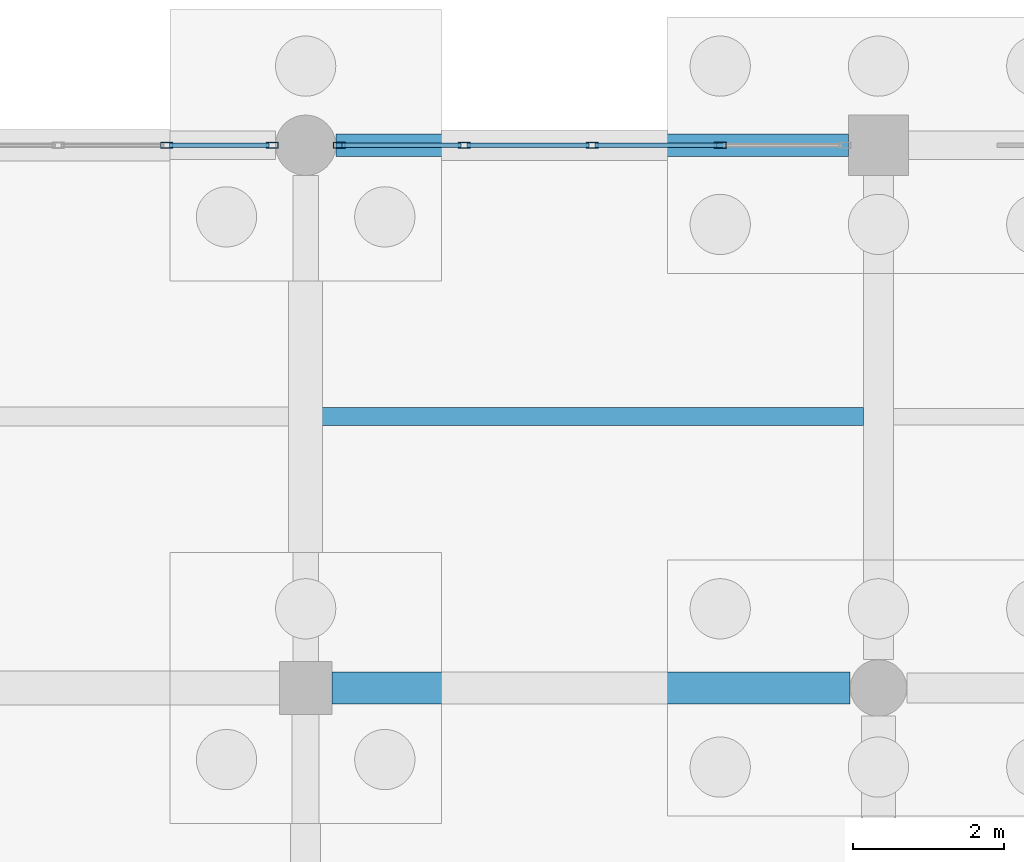
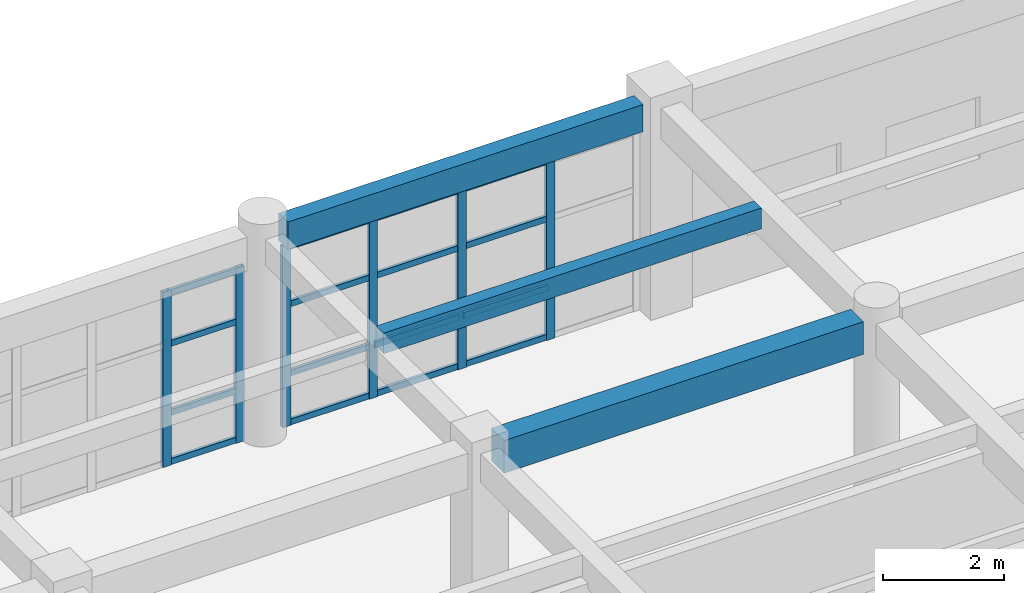
# One storey, part 106 of 166: 22 members, 3 beams, 2 elements without a shape of their own.
"""IFC4 building model written with IfcOpenShell, lengths in metres."""

from ifc_helpers import new_model, si_unit, direction, frame, origin, origin_2d, place, context, subcontext, project, spatial, rectangle, hollow_rectangle, extrude, material, material_profile, profile_set, type_object, element, aggregate, save


model = new_model("IFC4")

# Units and contexts
model_context = context("Model", 3, precision=1e-05, world=origin(), true_north=direction((0.0, 1.0)))
body_context = subcontext(model_context, "Body", "Model", "MODEL_VIEW")
ifc_project = project(units=[si_unit("LENGTHUNIT", "METRE"), si_unit("AREAUNIT", "SQUARE_METRE"), si_unit("VOLUMEUNIT", "CUBIC_METRE"), si_unit("PLANEANGLEUNIT", "RADIAN"), si_unit("MASSUNIT", "GRAM", prefix="KILO")], contexts=[model_context])

# Site, building, storey
site_placement = place(None, origin())
site = spatial("IfcSite", under=ifc_project, at=site_placement, CompositionType="ELEMENT")
building_placement = place(site_placement, origin())
building = spatial("IfcBuilding", under=site, at=building_placement, Name="Kharva Crest Polytechnic", CompositionType="ELEMENT")
storey_placement = place(building_placement, origin())
storey = spatial("IfcBuildingStorey", under=building, at=storey_placement, Name="L00", CompositionType="ELEMENT", Elevation=0.0)

# Beam
ifc_material_1 = material(Name="Concrete C35/45", Category="concrete")
ifc_material_profile_1 = material_profile(ifc_material_1, rectangle(XDim=0.419921875, YDim=0.659912109375, at=origin_2d()), Name="RECT 420 X 660")
ifc_profile_set_1 = profile_set([ifc_material_profile_1], Name="Concrete C35/45")
beam_type_1 = type_object("IfcBeamType", Name="BM-RC-420X660", PredefinedType="BEAM", material=ifc_profile_set_1)
beam_1_placement = place(storey_placement, frame((169.14990234375, 114.800048828125, 3.889892578125), z_axis=(1.0, 0.0, 0.0), x_axis=(0.0, 1.0, 0.0)))
element("IfcBeam", 1, at=beam_1_placement, inside=storey, type_object=beam_type_1, Name="L00 Beam R/22-23", PredefinedType="BEAM", context=body_context, shape_type="SweptSolid", body=[
    extrude(rectangle(XDim=0.419921875, YDim=0.659912109375, at=origin_2d()), origin(), (0.0, 0.0, 1.0), 6.875),
])

# Curtain wall, members
ifc_material_2 = material(Name="Tempered insulated glass", Category="glass")
curtain_wall_type = type_object("IfcCurtainWallType", Name="CW-SYS-COURT", PredefinedType="USERDEFINED", material=ifc_material_2)
curtain_wall_1_placement = place(storey_placement, origin())
curtain_wall_1 = element("IfcCurtainWall", 2, at=curtain_wall_1_placement, inside=storey, type_object=curtain_wall_type, Name="L00 Glazed Curtain Wall CW-021", ObjectType="CURTAIN WALL", PredefinedType="USERDEFINED")
ifc_material_3 = material(Name="Steel S355", Category="steel")
ifc_material_profile_2 = material_profile(ifc_material_3, hollow_rectangle(XDim=0.080078125, YDim=0.159912109375, WallThickness=0.0048828125, at=origin_2d()), Name="RHS 160X80X5.0")
ifc_profile_set_2 = profile_set([ifc_material_profile_2], Name="Steel S355")
member_type_1 = type_object("IfcMemberType", Name="CWM-RHS160X80", PredefinedType="MULLION", material=ifc_profile_set_2)
member_1_placement = place(storey_placement, frame((174.297607421875, 122.0, 0.0), z_axis=(0.0, 0.0, 1.0), x_axis=(0.0, -1.0, 0.0)))
member_1 = element("IfcMember", 3, at=member_1_placement, type_object=member_type_1, Name="CW-021 mullion 2", PredefinedType="MULLION", context=body_context, shape_type="SweptSolid", body=[
    extrude(hollow_rectangle(XDim=0.080078125, YDim=0.159912109375, WallThickness=0.0048828125, at=origin_2d()), origin(), (0.0, 0.0, 1.0), 3.669921875),
])
member_2_placement = place(storey_placement, frame((172.60009765625, 122.0, 0.0), z_axis=(0.0, 0.0, 1.0), x_axis=(0.0, -1.0, 0.0)))
member_2 = element("IfcMember", 4, at=member_2_placement, type_object=member_type_1, Name="CW-021 mullion 3", PredefinedType="MULLION", context=body_context, shape_type="SweptSolid", body=[
    extrude(hollow_rectangle(XDim=0.080078125, YDim=0.159912109375, WallThickness=0.0048828125, at=origin_2d()), origin(), (0.0, 0.0, 1.0), 3.669921875),
])
member_3_placement = place(storey_placement, frame((170.902587890625, 122.0, 0.0), z_axis=(0.0, 0.0, 1.0), x_axis=(0.0, -1.0, 0.0)))
member_3 = element("IfcMember", 5, at=member_3_placement, type_object=member_type_1, Name="CW-021 mullion 4", PredefinedType="MULLION", context=body_context, shape_type="SweptSolid", body=[
    extrude(hollow_rectangle(XDim=0.080078125, YDim=0.159912109375, WallThickness=0.0048828125, at=origin_2d()), origin(), (0.0, 0.0, 1.0), 3.669921875),
])
member_4_placement = place(storey_placement, frame((169.2451171875, 122.0, 0.0), z_axis=(0.0, 0.0, 1.0), x_axis=(0.0, -1.0, 0.0)))
member_4 = element("IfcMember", 6, at=member_4_placement, type_object=member_type_1, Name="CW-021 mullion 5", PredefinedType="MULLION", context=body_context, shape_type="SweptSolid", body=[
    extrude(hollow_rectangle(XDim=0.080078125, YDim=0.159912109375, WallThickness=0.0048828125, at=origin_2d()), origin(), (0.0, 0.0, 1.0), 3.669921875),
])

curtain_wall_2_placement = place(storey_placement, origin())
curtain_wall_2 = element("IfcCurtainWall", 7, at=curtain_wall_2_placement, inside=storey, type_object=curtain_wall_type, Name="L00 Glazed Curtain Wall CW-022", ObjectType="CURTAIN WALL", PredefinedType="USERDEFINED")
member_5_placement = place(storey_placement, frame((168.35498046875, 122.0, 0.0), z_axis=(0.0, 0.0, 1.0), x_axis=(0.0, -1.0, 0.0)))
member_5 = element("IfcMember", 8, at=member_5_placement, type_object=member_type_1, Name="CW-022 mullion 1", PredefinedType="MULLION", context=body_context, shape_type="SweptSolid", body=[
    extrude(hollow_rectangle(XDim=0.080078125, YDim=0.159912109375, WallThickness=0.0048828125, at=origin_2d()), origin(), (0.0, 0.0, 1.0), 3.5400390625),
])
member_6_placement = place(storey_placement, frame((166.955078125, 122.0, 0.0), z_axis=(0.0, 0.0, 1.0), x_axis=(0.0, -1.0, 0.0)))
member_6 = element("IfcMember", 9, at=member_6_placement, type_object=member_type_1, Name="CW-022 mullion 2", PredefinedType="MULLION", context=body_context, shape_type="SweptSolid", body=[
    extrude(hollow_rectangle(XDim=0.080078125, YDim=0.159912109375, WallThickness=0.0048828125, at=origin_2d()), origin(), (0.0, 0.0, 1.0), 3.5400390625),
])

# Member
ifc_material_profile_3 = material_profile(ifc_material_3, hollow_rectangle(XDim=0.06005859375, YDim=0.1201171875, WallThickness=0.00390625, at=origin_2d()), Name="RHS 120X60X4.0")
ifc_profile_set_3 = profile_set([ifc_material_profile_3], Name="Steel S355")
member_type_2 = type_object("IfcMemberType", Name="CWT-RHS120X60", PredefinedType="USERDEFINED", material=ifc_profile_set_3)
member_7_placement = place(storey_placement, frame((174.257568359375, 122.0, 0.06005859375), z_axis=(-1.0, 0.0, 0.0), x_axis=(0.0, -1.0, 0.0)))
member_7 = element("IfcMember", 10, at=member_7_placement, type_object=member_type_2, Name="CW-021 transom 2.1", ObjectType="TRANSOM", PredefinedType="USERDEFINED", context=body_context, shape_type="SweptSolid", body=[
    extrude(hollow_rectangle(XDim=0.06005859375, YDim=0.1201171875, WallThickness=0.00390625, at=origin_2d()), origin(), (0.0, 0.0, 1.0), 1.61767578125),
])

member_8_placement = place(storey_placement, frame((174.257568359375, 122.0, 1.050048828125), z_axis=(-1.0, 0.0, 0.0), x_axis=(0.0, -1.0, 0.0)))
member_8 = element("IfcMember", 11, at=member_8_placement, type_object=member_type_2, Name="CW-021 transom 2.2", ObjectType="TRANSOM", PredefinedType="USERDEFINED", context=body_context, shape_type="SweptSolid", body=[
    extrude(hollow_rectangle(XDim=0.06005859375, YDim=0.1201171875, WallThickness=0.00390625, at=origin_2d()), origin(), (0.0, 0.0, 1.0), 1.61767578125),
])

member_9_placement = place(storey_placement, frame((174.257568359375, 122.0, 2.449951171875), z_axis=(-1.0, 0.0, 0.0), x_axis=(0.0, -1.0, 0.0)))
member_9 = element("IfcMember", 12, at=member_9_placement, type_object=member_type_2, Name="CW-021 transom 2.3", ObjectType="TRANSOM", PredefinedType="USERDEFINED", context=body_context, shape_type="SweptSolid", body=[
    extrude(hollow_rectangle(XDim=0.06005859375, YDim=0.1201171875, WallThickness=0.00390625, at=origin_2d()), origin(), (0.0, 0.0, 1.0), 1.61767578125),
])

member_10_placement = place(storey_placement, frame((174.257568359375, 122.0, 3.610107421875), z_axis=(-1.0, 0.0, 0.0), x_axis=(0.0, -1.0, 0.0)))
member_10 = element("IfcMember", 13, at=member_10_placement, type_object=member_type_2, Name="CW-021 transom 2.4", ObjectType="TRANSOM", PredefinedType="USERDEFINED", context=body_context, shape_type="SweptSolid", body=[
    extrude(hollow_rectangle(XDim=0.06005859375, YDim=0.1201171875, WallThickness=0.00390625, at=origin_2d()), origin(), (0.0, 0.0, 1.0), 1.61767578125),
])

member_11_placement = place(storey_placement, frame((172.56005859375, 122.0, 0.06005859375), z_axis=(-1.0, 0.0, 0.0), x_axis=(0.0, -1.0, 0.0)))
member_11 = element("IfcMember", 14, at=member_11_placement, type_object=member_type_2, Name="CW-021 transom 3.1", ObjectType="TRANSOM", PredefinedType="USERDEFINED", context=body_context, shape_type="SweptSolid", body=[
    extrude(hollow_rectangle(XDim=0.06005859375, YDim=0.1201171875, WallThickness=0.00390625, at=origin_2d()), origin(), (0.0, 0.0, 1.0), 1.61767578125),
])

member_12_placement = place(storey_placement, frame((172.56005859375, 122.0, 1.050048828125), z_axis=(-1.0, 0.0, 0.0), x_axis=(0.0, -1.0, 0.0)))
member_12 = element("IfcMember", 15, at=member_12_placement, type_object=member_type_2, Name="CW-021 transom 3.2", ObjectType="TRANSOM", PredefinedType="USERDEFINED", context=body_context, shape_type="SweptSolid", body=[
    extrude(hollow_rectangle(XDim=0.06005859375, YDim=0.1201171875, WallThickness=0.00390625, at=origin_2d()), origin(), (0.0, 0.0, 1.0), 1.61767578125),
])

member_13_placement = place(storey_placement, frame((172.56005859375, 122.0, 2.449951171875), z_axis=(-1.0, 0.0, 0.0), x_axis=(0.0, -1.0, 0.0)))
member_13 = element("IfcMember", 16, at=member_13_placement, type_object=member_type_2, Name="CW-021 transom 3.3", ObjectType="TRANSOM", PredefinedType="USERDEFINED", context=body_context, shape_type="SweptSolid", body=[
    extrude(hollow_rectangle(XDim=0.06005859375, YDim=0.1201171875, WallThickness=0.00390625, at=origin_2d()), origin(), (0.0, 0.0, 1.0), 1.61767578125),
])

member_14_placement = place(storey_placement, frame((172.56005859375, 122.0, 3.610107421875), z_axis=(-1.0, 0.0, 0.0), x_axis=(0.0, -1.0, 0.0)))
member_14 = element("IfcMember", 17, at=member_14_placement, type_object=member_type_2, Name="CW-021 transom 3.4", ObjectType="TRANSOM", PredefinedType="USERDEFINED", context=body_context, shape_type="SweptSolid", body=[
    extrude(hollow_rectangle(XDim=0.06005859375, YDim=0.1201171875, WallThickness=0.00390625, at=origin_2d()), origin(), (0.0, 0.0, 1.0), 1.61767578125),
])

member_15_placement = place(storey_placement, frame((170.862548828125, 122.0, 0.06005859375), z_axis=(-1.0, 0.0, 0.0), x_axis=(0.0, -1.0, 0.0)))
member_15 = element("IfcMember", 18, at=member_15_placement, type_object=member_type_2, Name="CW-021 transom 4.1", ObjectType="TRANSOM", PredefinedType="USERDEFINED", context=body_context, shape_type="SweptSolid", body=[
    extrude(hollow_rectangle(XDim=0.06005859375, YDim=0.1201171875, WallThickness=0.00390625, at=origin_2d()), origin(), (0.0, 0.0, 1.0), 1.57763671875),
])

member_16_placement = place(storey_placement, frame((170.862548828125, 122.0, 1.050048828125), z_axis=(-1.0, 0.0, 0.0), x_axis=(0.0, -1.0, 0.0)))
member_16 = element("IfcMember", 19, at=member_16_placement, type_object=member_type_2, Name="CW-021 transom 4.2", ObjectType="TRANSOM", PredefinedType="USERDEFINED", context=body_context, shape_type="SweptSolid", body=[
    extrude(hollow_rectangle(XDim=0.06005859375, YDim=0.1201171875, WallThickness=0.00390625, at=origin_2d()), origin(), (0.0, 0.0, 1.0), 1.57763671875),
])

member_17_placement = place(storey_placement, frame((170.862548828125, 122.0, 2.449951171875), z_axis=(-1.0, 0.0, 0.0), x_axis=(0.0, -1.0, 0.0)))
member_17 = element("IfcMember", 20, at=member_17_placement, type_object=member_type_2, Name="CW-021 transom 4.3", ObjectType="TRANSOM", PredefinedType="USERDEFINED", context=body_context, shape_type="SweptSolid", body=[
    extrude(hollow_rectangle(XDim=0.06005859375, YDim=0.1201171875, WallThickness=0.00390625, at=origin_2d()), origin(), (0.0, 0.0, 1.0), 1.57763671875),
])

member_18_placement = place(storey_placement, frame((170.862548828125, 122.0, 3.610107421875), z_axis=(-1.0, 0.0, 0.0), x_axis=(0.0, -1.0, 0.0)))
member_18 = element("IfcMember", 21, at=member_18_placement, type_object=member_type_2, Name="CW-021 transom 4.4", ObjectType="TRANSOM", PredefinedType="USERDEFINED", context=body_context, shape_type="SweptSolid", body=[
    extrude(hollow_rectangle(XDim=0.06005859375, YDim=0.1201171875, WallThickness=0.00390625, at=origin_2d()), origin(), (0.0, 0.0, 1.0), 1.57763671875),
])

aggregate(curtain_wall_1, [member_1, member_2, member_3, member_4, member_7, member_8, member_9, member_10, member_11, member_12, member_13, member_14, member_15, member_16, member_17, member_18])

member_19_placement = place(storey_placement, frame((168.31494140625, 122.0, 0.06005859375), z_axis=(-1.0, 0.0, 0.0), x_axis=(0.0, -1.0, 0.0)))
member_19 = element("IfcMember", 22, at=member_19_placement, type_object=member_type_2, Name="CW-022 transom 1.1", ObjectType="TRANSOM", PredefinedType="USERDEFINED", context=body_context, shape_type="SweptSolid", body=[
    extrude(hollow_rectangle(XDim=0.06005859375, YDim=0.1201171875, WallThickness=0.00390625, at=origin_2d()), origin(), (0.0, 0.0, 1.0), 1.31982421875),
])

member_20_placement = place(storey_placement, frame((168.31494140625, 122.0, 1.050048828125), z_axis=(-1.0, 0.0, 0.0), x_axis=(0.0, -1.0, 0.0)))
member_20 = element("IfcMember", 23, at=member_20_placement, type_object=member_type_2, Name="CW-022 transom 1.2", ObjectType="TRANSOM", PredefinedType="USERDEFINED", context=body_context, shape_type="SweptSolid", body=[
    extrude(hollow_rectangle(XDim=0.06005859375, YDim=0.1201171875, WallThickness=0.00390625, at=origin_2d()), origin(), (0.0, 0.0, 1.0), 1.31982421875),
])

member_21_placement = place(storey_placement, frame((168.31494140625, 122.0, 2.449951171875), z_axis=(-1.0, 0.0, 0.0), x_axis=(0.0, -1.0, 0.0)))
member_21 = element("IfcMember", 24, at=member_21_placement, type_object=member_type_2, Name="CW-022 transom 1.3", ObjectType="TRANSOM", PredefinedType="USERDEFINED", context=body_context, shape_type="SweptSolid", body=[
    extrude(hollow_rectangle(XDim=0.06005859375, YDim=0.1201171875, WallThickness=0.00390625, at=origin_2d()), origin(), (0.0, 0.0, 1.0), 1.31982421875),
])

member_22_placement = place(storey_placement, frame((168.31494140625, 122.0, 3.47998046875), z_axis=(-1.0, 0.0, 0.0), x_axis=(0.0, -1.0, 0.0)))
member_22 = element("IfcMember", 25, at=member_22_placement, type_object=member_type_2, Name="CW-022 transom 1.4", ObjectType="TRANSOM", PredefinedType="USERDEFINED", context=body_context, shape_type="SweptSolid", body=[
    extrude(hollow_rectangle(XDim=0.06005859375, YDim=0.1201171875, WallThickness=0.00390625, at=origin_2d()), origin(), (0.0, 0.0, 1.0), 1.31982421875),
])

aggregate(curtain_wall_2, [member_5, member_6, member_19, member_20, member_21, member_22])

# Beams
ifc_material_profile_4 = material_profile(ifc_material_1, rectangle(XDim=0.239990234375, YDim=0.419921875, at=origin_2d()), Name="RECT 240 X 420")
ifc_profile_set_4 = profile_set([ifc_material_profile_4], Name="Concrete C35/45")
beam_type_2 = type_object("IfcBeamType", Name="JS-RC-240X420", PredefinedType="JOIST", material=ifc_profile_set_4)
beam_2_placement = place(storey_placement, frame((168.969970703125, 118.39990234375, 4.010009765625), z_axis=(1.0, 0.0, 0.0), x_axis=(0.0, 1.0, 0.0)))
element("IfcBeam", 26, at=beam_2_placement, inside=storey, type_object=beam_type_2, Name="L00 Floor Joist 53", PredefinedType="JOIST", context=body_context, shape_type="SweptSolid", body=[
    extrude(rectangle(XDim=0.239990234375, YDim=0.419921875, at=origin_2d()), origin(), (0.0, 0.0, 1.0), 7.22998046875),
])
ifc_material_profile_5 = material_profile(ifc_material_1, rectangle(XDim=0.300048828125, YDim=0.550048828125, at=origin_2d()), Name="RECT 300 X 550")
ifc_profile_set_5 = profile_set([ifc_material_profile_5], Name="Concrete C35/45")
beam_type_3 = type_object("IfcBeamType", Name="SP-RC-300X550", PredefinedType="SPANDREL", material=ifc_profile_set_5)
beam_3_placement = place(storey_placement, frame((169.199951171875, 122.0, 3.945068359375), z_axis=(1.0, 0.0, 0.0), x_axis=(0.0, 1.0, 0.0)))
element("IfcBeam", 27, at=beam_3_placement, inside=storey, type_object=beam_type_3, Name="L00 Beam S/22-23", PredefinedType="SPANDREL", context=body_context, shape_type="SweptSolid", body=[
    extrude(rectangle(XDim=0.300048828125, YDim=0.550048828125, at=origin_2d()), origin(), (0.0, 0.0, 1.0), 6.800048828125),
])

save(model, "model.ifc")
